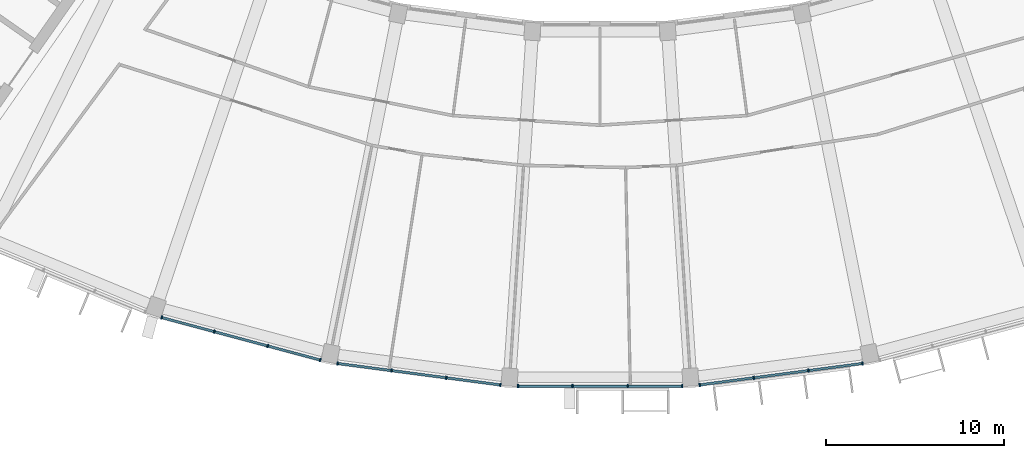
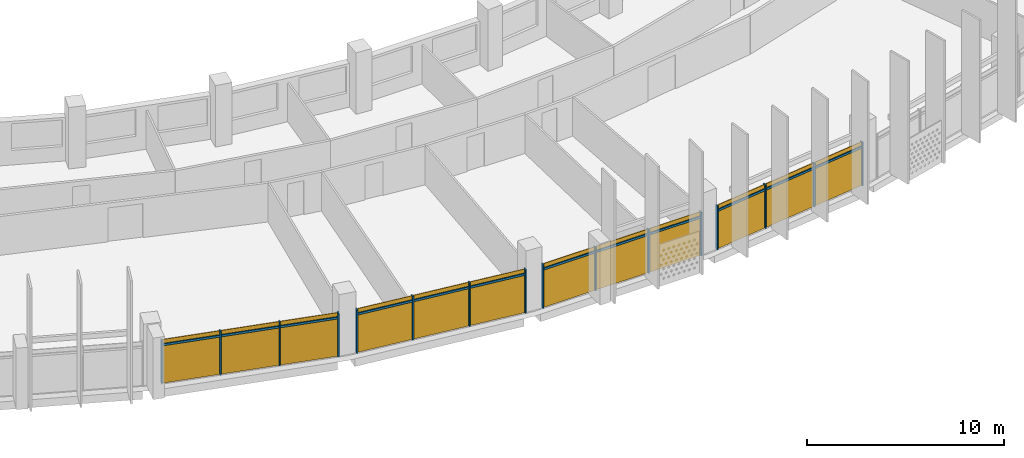
# One storey, part 20 of 28: 28 members, 4 curtain walls.
"""IFC4 building model written with IfcOpenShell, lengths in metres."""

from ifc_helpers import new_model, si_unit, direction, frame, origin, origin_2d, place, context, subcontext, project, spatial, rectangle, extrude, material, material_profile, profile_set, type_object, element, aggregate, save


model = new_model("IFC4")

# Units and contexts
model_context = context("Model", 3, precision=1e-05, world=origin(), true_north=direction((0.0, 1.0)))
body_context = subcontext(model_context, "Body", "Model", "MODEL_VIEW")
ifc_project = project(units=[si_unit("LENGTHUNIT", "METRE"), si_unit("AREAUNIT", "SQUARE_METRE"), si_unit("VOLUMEUNIT", "CUBIC_METRE"), si_unit("PLANEANGLEUNIT", "RADIAN"), si_unit("MASSUNIT", "GRAM", prefix="KILO")], contexts=[model_context])

# Member
ifc_material = material(Name="Aluminium 6063-T6 anodised", Category="aluminium")
ifc_material_profile_1 = material_profile(ifc_material, rectangle(XDim=0.199951171875, YDim=0.070068359375, at=origin_2d()))
ifc_profile_set_1 = profile_set([ifc_material_profile_1], Name="Aluminium 6063-T6 anodised")
member_type_1 = type_object("IfcMemberType", Name="Mullion 70 x 200 aluminium", PredefinedType="MULLION", material=ifc_profile_set_1)
site_placement = place(None, origin())
building_placement = place(site_placement, origin())
storey_placement = place(building_placement, frame((0.0, 0.0, 273.300048828125)))
member_1_placement = place(storey_placement, frame((-24.676025390625, -74.224853515625, 0.0), z_axis=(0.0, 0.0, 1.0), x_axis=(0.258819045103, 0.965925826289, 0.0)))
member_1 = element("IfcMember", 1, at=member_1_placement, type_object=member_type_1, Name="e-cw1-L66-out05/M00", PredefinedType="MULLION", context=body_context, shape_type="SweptSolid", body=[
    extrude(rectangle(XDim=0.199951171875, YDim=0.070068359375, at=origin_2d()), origin(), (0.0, 0.0, 1.0), 2.699951171875),
])

member_2_placement = place(storey_placement, frame((-21.70947265625, -75.019775390625, 0.0), z_axis=(0.0, 0.0, 1.0), x_axis=(0.258819045103, 0.965925826289, 0.0)))
member_2 = element("IfcMember", 2, at=member_2_placement, type_object=member_type_1, Name="e-cw1-L66-out05/M01", PredefinedType="MULLION", context=body_context, shape_type="SweptSolid", body=[
    extrude(rectangle(XDim=0.199951171875, YDim=0.070068359375, at=origin_2d()), origin(), (0.0, 0.0, 1.0), 2.699951171875),
])

member_3_placement = place(storey_placement, frame((-18.708984375, -75.82373046875, 0.0), z_axis=(0.0, 0.0, 1.0), x_axis=(0.258819045103, 0.965925826289, 0.0)))
member_3 = element("IfcMember", 3, at=member_3_placement, type_object=member_type_1, Name="e-cw1-L66-out05/M02", PredefinedType="MULLION", context=body_context, shape_type="SweptSolid", body=[
    extrude(rectangle(XDim=0.199951171875, YDim=0.070068359375, at=origin_2d()), origin(), (0.0, 0.0, 1.0), 2.699951171875),
])

member_4_placement = place(storey_placement, frame((-15.742431640625, -76.618408203125, 0.0), z_axis=(0.0, 0.0, 1.0), x_axis=(0.258819045103, 0.965925826289, 0.0)))
member_4 = element("IfcMember", 4, at=member_4_placement, type_object=member_type_1, Name="e-cw1-L66-out05/M03", PredefinedType="MULLION", context=body_context, shape_type="SweptSolid", body=[
    extrude(rectangle(XDim=0.199951171875, YDim=0.070068359375, at=origin_2d()), origin(), (0.0, 0.0, 1.0), 2.699951171875),
])

member_5_placement = place(storey_placement, frame((-14.776611328125, -76.810546875, 0.0), z_axis=(0.0, 0.0, 1.0), x_axis=(0.13052619222, 0.991444861374, 0.0)))
member_5 = element("IfcMember", 5, at=member_5_placement, type_object=member_type_1, Name="e-cw1-L66-out06/M00", PredefinedType="MULLION", context=body_context, shape_type="SweptSolid", body=[
    extrude(rectangle(XDim=0.199951171875, YDim=0.070068359375, at=origin_2d()), origin(), (0.0, 0.0, 1.0), 2.699951171875),
])

member_6_placement = place(storey_placement, frame((-11.731689453125, -77.21142578125, 0.0), z_axis=(0.0, 0.0, 1.0), x_axis=(0.13052619222, 0.991444861374, 0.0)))
member_6 = element("IfcMember", 6, at=member_6_placement, type_object=member_type_1, Name="e-cw1-L66-out06/M01", PredefinedType="MULLION", context=body_context, shape_type="SweptSolid", body=[
    extrude(rectangle(XDim=0.199951171875, YDim=0.070068359375, at=origin_2d()), origin(), (0.0, 0.0, 1.0), 2.699951171875),
])

member_7_placement = place(storey_placement, frame((-8.65185546875, -77.616943359375, 0.0), z_axis=(0.0, 0.0, 1.0), x_axis=(0.13052619222, 0.991444861374, 0.0)))
member_7 = element("IfcMember", 7, at=member_7_placement, type_object=member_type_1, Name="e-cw1-L66-out06/M02", PredefinedType="MULLION", context=body_context, shape_type="SweptSolid", body=[
    extrude(rectangle(XDim=0.199951171875, YDim=0.070068359375, at=origin_2d()), origin(), (0.0, 0.0, 1.0), 2.699951171875),
])

member_8_placement = place(storey_placement, frame((-5.60693359375, -78.017822265625, 0.0), z_axis=(0.0, 0.0, 1.0), x_axis=(0.13052619222, 0.991444861374, 0.0)))
member_8 = element("IfcMember", 8, at=member_8_placement, type_object=member_type_1, Name="e-cw1-L66-out06/M03", PredefinedType="MULLION", context=body_context, shape_type="SweptSolid", body=[
    extrude(rectangle(XDim=0.199951171875, YDim=0.070068359375, at=origin_2d()), origin(), (0.0, 0.0, 1.0), 2.699951171875),
])

member_9_placement = place(storey_placement, frame((-4.624267578125, -78.082275390625, 0.0), z_axis=(0.0, 0.0, 1.0), x_axis=(0.0, 1.0, 0.0)))
member_9 = element("IfcMember", 9, at=member_9_placement, type_object=member_type_1, Name="e-cw1-L66-out07/M00", PredefinedType="MULLION", context=body_context, shape_type="SweptSolid", body=[
    extrude(rectangle(XDim=0.199951171875, YDim=0.070068359375, at=origin_2d()), origin(), (0.0, 0.0, 1.0), 2.699951171875),
])

member_10_placement = place(storey_placement, frame((-1.55322265625, -78.082275390625, 0.0), z_axis=(0.0, 0.0, 1.0), x_axis=(0.0, 1.0, 0.0)))
member_10 = element("IfcMember", 10, at=member_10_placement, type_object=member_type_1, Name="e-cw1-L66-out07/M01", PredefinedType="MULLION", context=body_context, shape_type="SweptSolid", body=[
    extrude(rectangle(XDim=0.199951171875, YDim=0.070068359375, at=origin_2d()), origin(), (0.0, 0.0, 1.0), 2.699951171875),
])

member_11_placement = place(storey_placement, frame((1.55322265625, -78.082275390625, 0.0), z_axis=(0.0, 0.0, 1.0), x_axis=(0.0, 1.0, 0.0)))
member_11 = element("IfcMember", 11, at=member_11_placement, type_object=member_type_1, Name="e-cw1-L66-out07/M02", PredefinedType="MULLION", context=body_context, shape_type="SweptSolid", body=[
    extrude(rectangle(XDim=0.199951171875, YDim=0.070068359375, at=origin_2d()), origin(), (0.0, 0.0, 1.0), 2.699951171875),
])

member_12_placement = place(storey_placement, frame((4.624267578125, -78.082275390625, 0.0), z_axis=(0.0, 0.0, 1.0), x_axis=(0.0, 1.0, 0.0)))
member_12 = element("IfcMember", 12, at=member_12_placement, type_object=member_type_1, Name="e-cw1-L66-out07/M03", PredefinedType="MULLION", context=body_context, shape_type="SweptSolid", body=[
    extrude(rectangle(XDim=0.199951171875, YDim=0.070068359375, at=origin_2d()), origin(), (0.0, 0.0, 1.0), 2.699951171875),
])

member_13_placement = place(storey_placement, frame((5.60693359375, -78.017822265625, 0.0), z_axis=(0.0, 0.0, 1.0), x_axis=(-0.13052619222, 0.991444861374, 0.0)))
member_13 = element("IfcMember", 13, at=member_13_placement, type_object=member_type_1, Name="e-cw1-L66-out08/M00", PredefinedType="MULLION", context=body_context, shape_type="SweptSolid", body=[
    extrude(rectangle(XDim=0.199951171875, YDim=0.070068359375, at=origin_2d()), origin(), (0.0, 0.0, 1.0), 2.699951171875),
])

member_14_placement = place(storey_placement, frame((8.65185546875, -77.616943359375, 0.0), z_axis=(0.0, 0.0, 1.0), x_axis=(-0.13052619222, 0.991444861374, 0.0)))
member_14 = element("IfcMember", 14, at=member_14_placement, type_object=member_type_1, Name="e-cw1-L66-out08/M01", PredefinedType="MULLION", context=body_context, shape_type="SweptSolid", body=[
    extrude(rectangle(XDim=0.199951171875, YDim=0.070068359375, at=origin_2d()), origin(), (0.0, 0.0, 1.0), 2.699951171875),
])

member_15_placement = place(storey_placement, frame((11.731689453125, -77.21142578125, 0.0), z_axis=(0.0, 0.0, 1.0), x_axis=(-0.13052619222, 0.991444861374, 0.0)))
member_15 = element("IfcMember", 15, at=member_15_placement, type_object=member_type_1, Name="e-cw1-L66-out08/M02", PredefinedType="MULLION", context=body_context, shape_type="SweptSolid", body=[
    extrude(rectangle(XDim=0.199951171875, YDim=0.070068359375, at=origin_2d()), origin(), (0.0, 0.0, 1.0), 2.699951171875),
])

member_16_placement = place(storey_placement, frame((14.776611328125, -76.810546875, 0.0), z_axis=(0.0, 0.0, 1.0), x_axis=(-0.13052619222, 0.991444861374, 0.0)))
member_16 = element("IfcMember", 16, at=member_16_placement, type_object=member_type_1, Name="e-cw1-L66-out08/M03", PredefinedType="MULLION", context=body_context, shape_type="SweptSolid", body=[
    extrude(rectangle(XDim=0.199951171875, YDim=0.070068359375, at=origin_2d()), origin(), (0.0, 0.0, 1.0), 2.699951171875),
])

ifc_material_profile_2 = material_profile(ifc_material, rectangle(XDim=0.139892578125, YDim=0.1201171875, at=origin_2d()))
ifc_profile_set_2 = profile_set([ifc_material_profile_2], Name="Aluminium 6063-T6 anodised")
member_type_2 = type_object("IfcMemberType", Name="Transom 120 x 140 aluminium", PredefinedType="USERDEFINED", material=ifc_profile_set_2)
member_17_placement = place(storey_placement, frame((-24.64208984375, -74.23388671875, 2.39990234375), z_axis=(0.965918275034, -0.258847225127, 0.0), x_axis=(0.258847225127, 0.965918275034, 0.0)))
member_17 = element("IfcMember", 17, at=member_17_placement, type_object=member_type_2, Name="e-cw1-L66-out05/T00", ObjectType="TRANSOM", PredefinedType="USERDEFINED", context=body_context, shape_type="SweptSolid", body=[
    extrude(rectangle(XDim=0.139892578125, YDim=0.1201171875, at=origin_2d()), origin(), (0.0, 0.0, 1.0), 3.001220703125),
])

member_18_placement = place(storey_placement, frame((-21.675537109375, -75.02880859375, 2.39990234375), z_axis=(0.965943386189, -0.258753501769, 0.0), x_axis=(0.258753501769, 0.965943386189, 0.0)))
member_18 = element("IfcMember", 18, at=member_18_placement, type_object=member_type_2, Name="e-cw1-L66-out05/T01", ObjectType="TRANSOM", PredefinedType="USERDEFINED", context=body_context, shape_type="SweptSolid", body=[
    extrude(rectangle(XDim=0.139892578125, YDim=0.1201171875, at=origin_2d()), origin(), (0.0, 0.0, 1.0), 3.036376953125),
])

member_19_placement = place(storey_placement, frame((-18.67529296875, -75.832763671875, 2.39990234375), z_axis=(0.965944058071, -0.258750993577, 0.0), x_axis=(0.258750993577, 0.965944058071, 0.0)))
member_19 = element("IfcMember", 19, at=member_19_placement, type_object=member_type_2, Name="e-cw1-L66-out05/T02", ObjectType="TRANSOM", PredefinedType="USERDEFINED", context=body_context, shape_type="SweptSolid", body=[
    extrude(rectangle(XDim=0.139892578125, YDim=0.1201171875, at=origin_2d()), origin(), (0.0, 0.0, 1.0), 3.00146484375),
])

member_20_placement = place(storey_placement, frame((-14.741943359375, -76.815185546875, 2.39990234375), z_axis=(0.991440446253, -0.13055972401, 0.0), x_axis=(0.13055972401, 0.991440446253, 0.0)))
member_20 = element("IfcMember", 20, at=member_20_placement, type_object=member_type_2, Name="e-cw1-L66-out06/T00", ObjectType="TRANSOM", PredefinedType="USERDEFINED", context=body_context, shape_type="SweptSolid", body=[
    extrude(rectangle(XDim=0.139892578125, YDim=0.1201171875, at=origin_2d()), origin(), (0.0, 0.0, 1.0), 3.001220703125),
])

member_21_placement = place(storey_placement, frame((-11.697021484375, -77.216064453125, 2.39990234375), z_axis=(0.991447725786, -0.130504433005, 0.0), x_axis=(0.130504433005, 0.991447725786, 0.0)))
member_21 = element("IfcMember", 21, at=member_21_placement, type_object=member_type_2, Name="e-cw1-L66-out06/T01", ObjectType="TRANSOM", PredefinedType="USERDEFINED", context=body_context, shape_type="SweptSolid", body=[
    extrude(rectangle(XDim=0.139892578125, YDim=0.1201171875, at=origin_2d()), origin(), (0.0, 0.0, 1.0), 3.0361328125),
])

member_22_placement = place(storey_placement, frame((-8.6171875, -77.62158203125, 2.39990234375), z_axis=(0.991450972696, -0.130479763719, 0.0), x_axis=(0.130479763719, 0.991450972696, 0.0)))
member_22 = element("IfcMember", 22, at=member_22_placement, type_object=member_type_2, Name="e-cw1-L66-out06/T02", ObjectType="TRANSOM", PredefinedType="USERDEFINED", context=body_context, shape_type="SweptSolid", body=[
    extrude(rectangle(XDim=0.139892578125, YDim=0.1201171875, at=origin_2d()), origin(), (0.0, 0.0, 1.0), 3.001220703125),
])

member_23_placement = place(storey_placement, frame((-4.58935546875, -78.082275390625, 2.39990234375), z_axis=(1.0, 0.0, 0.0), x_axis=(0.0, 1.0, 0.0)))
member_23 = element("IfcMember", 23, at=member_23_placement, type_object=member_type_2, Name="e-cw1-L66-out07/T00", ObjectType="TRANSOM", PredefinedType="USERDEFINED", context=body_context, shape_type="SweptSolid", body=[
    extrude(rectangle(XDim=0.139892578125, YDim=0.1201171875, at=origin_2d()), origin(), (0.0, 0.0, 1.0), 3.001220703125),
])

member_24_placement = place(storey_placement, frame((-1.51806640625, -78.082275390625, 2.39990234375), z_axis=(1.0, 0.0, 0.0), x_axis=(0.0, 1.0, 0.0)))
member_24 = element("IfcMember", 24, at=member_24_placement, type_object=member_type_2, Name="e-cw1-L66-out07/T01", ObjectType="TRANSOM", PredefinedType="USERDEFINED", context=body_context, shape_type="SweptSolid", body=[
    extrude(rectangle(XDim=0.139892578125, YDim=0.1201171875, at=origin_2d()), origin(), (0.0, 0.0, 1.0), 3.0361328125),
])

member_25_placement = place(storey_placement, frame((1.588134765625, -78.082275390625, 2.39990234375), z_axis=(1.0, 0.0, 0.0), x_axis=(0.0, 1.0, 0.0)))
member_25 = element("IfcMember", 25, at=member_25_placement, type_object=member_type_2, Name="e-cw1-L66-out07/T02", ObjectType="TRANSOM", PredefinedType="USERDEFINED", context=body_context, shape_type="SweptSolid", body=[
    extrude(rectangle(XDim=0.139892578125, YDim=0.1201171875, at=origin_2d()), origin(), (0.0, 0.0, 1.0), 3.001220703125),
])

member_26_placement = place(storey_placement, frame((5.6416015625, -78.01318359375, 2.39990234375), z_axis=(0.991450972696, 0.130479763719, 0.0), x_axis=(-0.130479763719, 0.991450972696, 0.0)))
member_26 = element("IfcMember", 26, at=member_26_placement, type_object=member_type_2, Name="e-cw1-L66-out08/T00", ObjectType="TRANSOM", PredefinedType="USERDEFINED", context=body_context, shape_type="SweptSolid", body=[
    extrude(rectangle(XDim=0.139892578125, YDim=0.1201171875, at=origin_2d()), origin(), (0.0, 0.0, 1.0), 3.001220703125),
])

member_27_placement = place(storey_placement, frame((8.686767578125, -77.6123046875, 2.39990234375), z_axis=(0.991447725786, 0.130504433005, 0.0), x_axis=(-0.130504433005, 0.991447725786, 0.0)))
member_27 = element("IfcMember", 27, at=member_27_placement, type_object=member_type_2, Name="e-cw1-L66-out08/T01", ObjectType="TRANSOM", PredefinedType="USERDEFINED", context=body_context, shape_type="SweptSolid", body=[
    extrude(rectangle(XDim=0.139892578125, YDim=0.1201171875, at=origin_2d()), origin(), (0.0, 0.0, 1.0), 3.0361328125),
])

member_28_placement = place(storey_placement, frame((11.766357421875, -77.20703125, 2.39990234375), z_axis=(0.991440446253, 0.13055972401, 0.0), x_axis=(-0.13055972401, 0.991440446253, 0.0)))
member_28 = element("IfcMember", 28, at=member_28_placement, type_object=member_type_2, Name="e-cw1-L66-out08/T02", ObjectType="TRANSOM", PredefinedType="USERDEFINED", context=body_context, shape_type="SweptSolid", body=[
    extrude(rectangle(XDim=0.139892578125, YDim=0.1201171875, at=origin_2d()), origin(), (0.0, 0.0, 1.0), 3.001220703125),
])

# Site, building, storey
site = spatial("IfcSite", under=ifc_project, at=site_placement, CompositionType="ELEMENT")
building = spatial("IfcBuilding", under=site, at=building_placement, Name="Qamariyya Broadcast Tower", CompositionType="ELEMENT")
storey = spatial("IfcBuildingStorey", under=building, at=storey_placement, Name="L66", CompositionType="ELEMENT", Elevation=273.300048828125)

# Curtain wall
curtain_wall_type = type_object("IfcCurtainWallType", Name="Unitised curtain wall, anodised aluminium", PredefinedType="NOTDEFINED", material=ifc_material)
curtain_wall_1_placement = place(storey_placement, origin())
curtain_wall_1 = element("IfcCurtainWall", 29, at=curtain_wall_1_placement, inside=storey, type_object=curtain_wall_type, Name="e-cw1-L66-out05", PredefinedType="NOTDEFINED", context=body_context, shape_type="SweptSolid", body=[
    extrude(rectangle(XDim=3.001220703125, YDim=0.031982421875, at=origin_2d()), frame((-23.192626953125, -74.622314453125, 0.0), x_axis=(0.965925949265, -0.258818586151, 0.0)), (0.0, 0.0, 1.0), 2.340087890625),
    extrude(rectangle(XDim=3.001220703125, YDim=0.031982421875, at=origin_2d()), frame((-23.192626953125, -74.622314453125, 2.4599609375), x_axis=(0.965925949265, -0.258818586151, 0.0)), (0.0, 0.0, 1.0), 0.239990234375),
    extrude(rectangle(XDim=3.0361328125, YDim=0.031982421875, at=origin_2d()), frame((-20.208984375, -75.421875, 0.0), x_axis=(0.965925949265, -0.258818586151, 0.0)), (0.0, 0.0, 1.0), 2.340087890625),
    extrude(rectangle(XDim=3.0361328125, YDim=0.031982421875, at=origin_2d()), frame((-20.208984375, -75.421875, 2.4599609375), x_axis=(0.965925949265, -0.258818586151, 0.0)), (0.0, 0.0, 1.0), 0.239990234375),
    extrude(rectangle(XDim=3.001220703125, YDim=0.031982421875, at=origin_2d()), frame((-17.2255859375, -76.22119140625, 0.0), x_axis=(0.965925949265, -0.258818586151, 0.0)), (0.0, 0.0, 1.0), 2.340087890625),
    extrude(rectangle(XDim=3.001220703125, YDim=0.031982421875, at=origin_2d()), frame((-17.2255859375, -76.22119140625, 2.4599609375), x_axis=(0.965925949265, -0.258818586151, 0.0)), (0.0, 0.0, 1.0), 0.239990234375),
])

aggregate(curtain_wall_1, [member_1, member_2, member_3, member_4, member_17, member_18, member_19])

curtain_wall_2_placement = place(storey_placement, origin())
curtain_wall_2 = element("IfcCurtainWall", 30, at=curtain_wall_2_placement, inside=storey, type_object=curtain_wall_type, Name="e-cw1-L66-out06", PredefinedType="NOTDEFINED", context=body_context, shape_type="SweptSolid", body=[
    extrude(rectangle(XDim=3.001220703125, YDim=0.031982421875, at=origin_2d()), frame((-13.254150390625, -77.01123046875, 0.0), x_axis=(0.991445286748, -0.130522961144, 0.0)), (0.0, 0.0, 1.0), 2.340087890625),
    extrude(rectangle(XDim=3.001220703125, YDim=0.031982421875, at=origin_2d()), frame((-13.254150390625, -77.01123046875, 2.4599609375), x_axis=(0.991445286748, -0.130522961144, 0.0)), (0.0, 0.0, 1.0), 0.239990234375),
    extrude(rectangle(XDim=3.0361328125, YDim=0.031982421875, at=origin_2d()), frame((-10.19189453125, -77.414306640625, 0.0), x_axis=(0.991445286748, -0.130522961144, 0.0)), (0.0, 0.0, 1.0), 2.340087890625),
    extrude(rectangle(XDim=3.0361328125, YDim=0.031982421875, at=origin_2d()), frame((-10.19189453125, -77.414306640625, 2.4599609375), x_axis=(0.991445286748, -0.130522961144, 0.0)), (0.0, 0.0, 1.0), 0.239990234375),
    extrude(rectangle(XDim=3.001220703125, YDim=0.031982421875, at=origin_2d()), frame((-7.12939453125, -77.8173828125, 0.0), x_axis=(0.991445286748, -0.130522961144, 0.0)), (0.0, 0.0, 1.0), 2.340087890625),
    extrude(rectangle(XDim=3.001220703125, YDim=0.031982421875, at=origin_2d()), frame((-7.12939453125, -77.8173828125, 2.4599609375), x_axis=(0.991445286748, -0.130522961144, 0.0)), (0.0, 0.0, 1.0), 0.239990234375),
])

aggregate(curtain_wall_2, [member_5, member_6, member_7, member_8, member_20, member_21, member_22])

curtain_wall_3_placement = place(storey_placement, origin())
curtain_wall_3 = element("IfcCurtainWall", 31, at=curtain_wall_3_placement, inside=storey, type_object=curtain_wall_type, Name="e-cw1-L66-out07", PredefinedType="NOTDEFINED", context=body_context, shape_type="SweptSolid", body=[
    extrude(rectangle(XDim=3.001220703125, YDim=0.031982421875, at=origin_2d()), frame((-3.0888671875, -78.082275390625, 0.0), x_axis=(1.0, 0.0, 0.0)), (0.0, 0.0, 1.0), 2.340087890625),
    extrude(rectangle(XDim=3.001220703125, YDim=0.031982421875, at=origin_2d()), frame((-3.0888671875, -78.082275390625, 2.4599609375), x_axis=(1.0, 0.0, 0.0)), (0.0, 0.0, 1.0), 0.239990234375),
    extrude(rectangle(XDim=3.036376953125, YDim=0.031982421875, at=origin_2d()), frame((0.0, -78.082275390625, 0.0), x_axis=(1.0, 0.0, 0.0)), (0.0, 0.0, 1.0), 2.340087890625),
    extrude(rectangle(XDim=3.036376953125, YDim=0.031982421875, at=origin_2d()), frame((0.0, -78.082275390625, 2.4599609375), x_axis=(1.0, 0.0, 0.0)), (0.0, 0.0, 1.0), 0.239990234375),
    extrude(rectangle(XDim=3.001220703125, YDim=0.031982421875, at=origin_2d()), frame((3.0888671875, -78.082275390625, 0.0), x_axis=(1.0, 0.0, 0.0)), (0.0, 0.0, 1.0), 2.340087890625),
    extrude(rectangle(XDim=3.001220703125, YDim=0.031982421875, at=origin_2d()), frame((3.0888671875, -78.082275390625, 2.4599609375), x_axis=(1.0, 0.0, 0.0)), (0.0, 0.0, 1.0), 0.239990234375),
])

aggregate(curtain_wall_3, [member_9, member_10, member_11, member_12, member_23, member_24, member_25])

curtain_wall_4_placement = place(storey_placement, origin())
curtain_wall_4 = element("IfcCurtainWall", 32, at=curtain_wall_4_placement, inside=storey, type_object=curtain_wall_type, Name="e-cw1-L66-out08", PredefinedType="NOTDEFINED", context=body_context, shape_type="SweptSolid", body=[
    extrude(rectangle(XDim=3.001220703125, YDim=0.031982421875, at=origin_2d()), frame((7.12939453125, -77.8173828125, 0.0), x_axis=(0.991445286748, 0.130522961144, 0.0)), (0.0, 0.0, 1.0), 2.340087890625),
    extrude(rectangle(XDim=3.001220703125, YDim=0.031982421875, at=origin_2d()), frame((7.12939453125, -77.8173828125, 2.4599609375), x_axis=(0.991445286748, 0.130522961144, 0.0)), (0.0, 0.0, 1.0), 0.239990234375),
    extrude(rectangle(XDim=3.0361328125, YDim=0.031982421875, at=origin_2d()), frame((10.19189453125, -77.414306640625, 0.0), x_axis=(0.991445286748, 0.130522961144, 0.0)), (0.0, 0.0, 1.0), 2.340087890625),
    extrude(rectangle(XDim=3.0361328125, YDim=0.031982421875, at=origin_2d()), frame((10.19189453125, -77.414306640625, 2.4599609375), x_axis=(0.991445286748, 0.130522961144, 0.0)), (0.0, 0.0, 1.0), 0.239990234375),
    extrude(rectangle(XDim=3.001220703125, YDim=0.031982421875, at=origin_2d()), frame((13.254150390625, -77.01123046875, 0.0), x_axis=(0.991445286748, 0.130522961144, 0.0)), (0.0, 0.0, 1.0), 2.340087890625),
    extrude(rectangle(XDim=3.001220703125, YDim=0.031982421875, at=origin_2d()), frame((13.254150390625, -77.01123046875, 2.4599609375), x_axis=(0.991445286748, 0.130522961144, 0.0)), (0.0, 0.0, 1.0), 0.239990234375),
])

aggregate(curtain_wall_4, [member_13, member_14, member_15, member_16, member_26, member_27, member_28])

save(model, "model.ifc")
